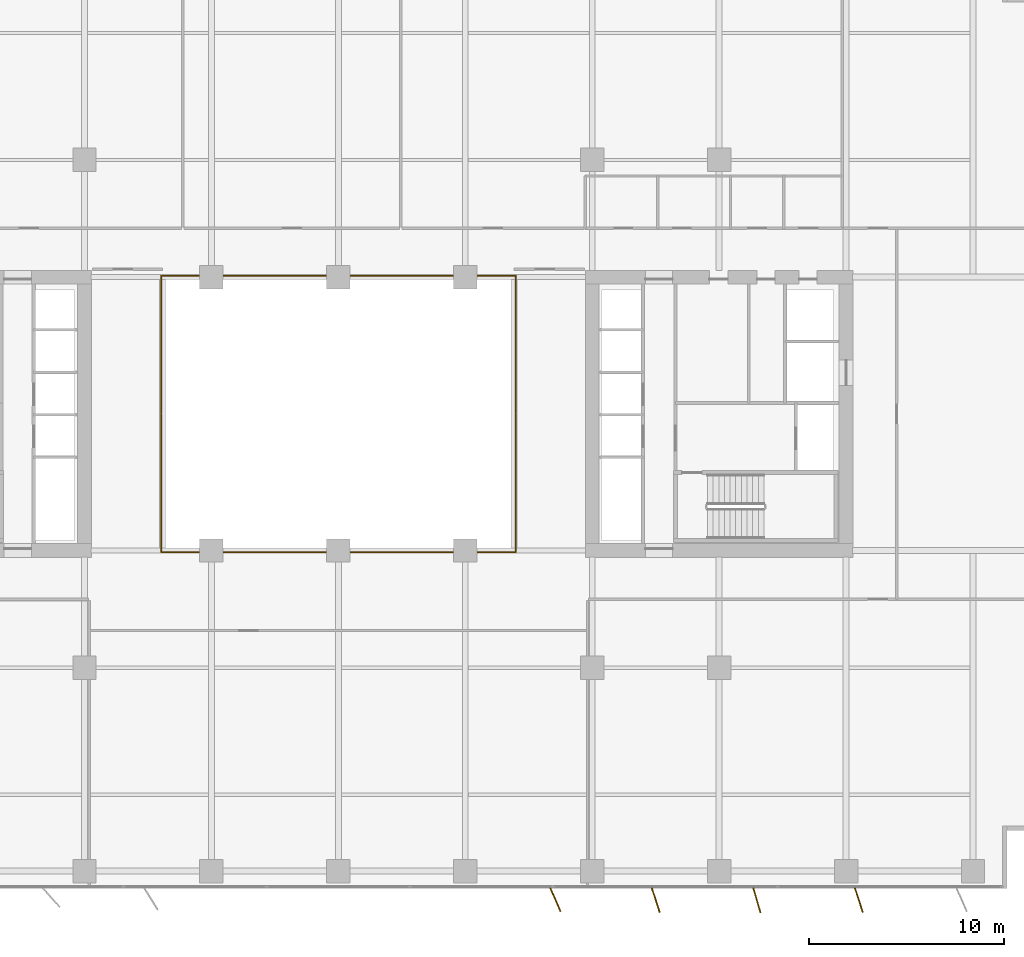
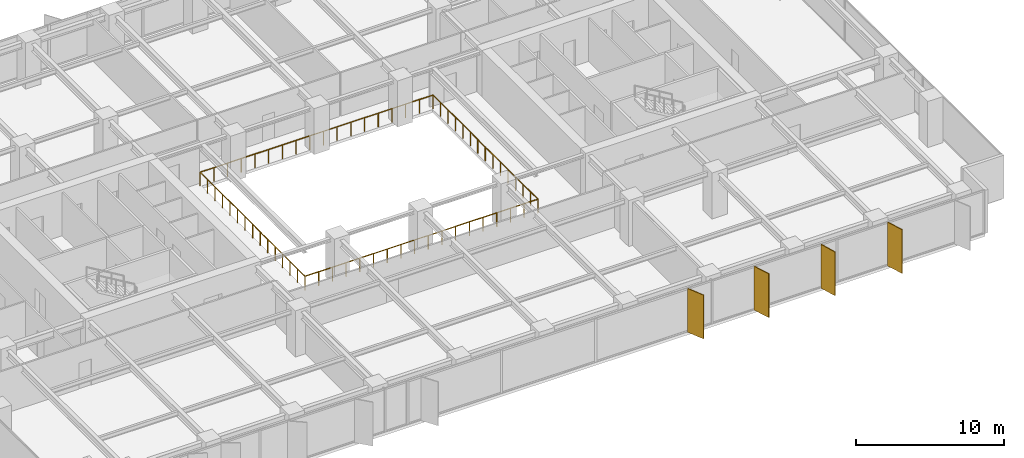
# One storey, part 18 of 20: 4 shading devices, 2 railings.
"""IFC4 building model written with IfcOpenShell, lengths in metres."""

import ifcopenshell
import ifcopenshell.guid

model = None  # the IFC model being written
_history = None  # IfcOwnerHistory: only IFC2X3 demands one
_inside = {}  # id of a spatial element -> (the spatial element, [elements in it])
_under = {}  # id of a project, library or spatial element -> (it, [spatial elements below it])
_declared = {}  # id of a project -> (the project, [libraries it declares])
_typed = {}  # id of a type object -> (the type object, [elements of that type])
_made_of = {}  # id of a material, layer set ... -> (it, [elements and type objects made of it])


def new_model(schema):
    """Start an empty IFC model of exactly this schema.

    Asked for "IFC4X3", IfcOpenShell would pick the latest addendum, in which some entities
    have other attributes; the version numbers below select the first issue.
    IFC2X3 requires an IfcOwnerHistory on every rooted entity: one is made here for all.
    """
    global model, _history
    if schema == "IFC4X3":
        model = ifcopenshell.file(schema_version=(4, 3, 0, 0))
    else:
        model = ifcopenshell.file(schema=schema)
    _inside.clear()
    _under.clear()
    _declared.clear()
    _typed.clear()
    _made_of.clear()
    _history = None
    if model.schema == "IFC2X3":
        org = make("IfcOrganization", Name="unknown")
        user = make(
            "IfcPersonAndOrganization",
            ThePerson=make("IfcPerson", FamilyName="unknown"),
            TheOrganization=org,
        )
        app = make(
            "IfcApplication",
            ApplicationDeveloper=org,
            Version="unknown",
            ApplicationFullName="unknown",
            ApplicationIdentifier="unknown",
        )
        _history = make(
            "IfcOwnerHistory",
            OwningUser=user,
            OwningApplication=app,
            ChangeAction="ADDED",
            CreationDate=0,
        )
    return model


def make(cls, **values):
    """One entity of the class cls with the attributes given. An attribute that is None is left unset."""
    return model.create_entity(
        cls, **{name: value for name, value in values.items() if value is not None}
    )


def rooted(cls, **values):
    """An entity with a GlobalId (a new one), such as an element, a storey or a relation."""
    return make(cls, GlobalId=ifcopenshell.guid.new(), OwnerHistory=_history, **values)


def si_unit(unit_type, name, prefix=None):
    """IfcSIUnit, for example si_unit("LENGTHUNIT", "METRE", prefix="MILLI")."""
    return make("IfcSIUnit", UnitType=unit_type, Prefix=prefix, Name=name)


def assignment(units):
    """IfcUnitAssignment: the units of a project."""
    return None if units is None else make("IfcUnitAssignment", Units=units)


def point(xyz):
    """IfcCartesianPoint."""
    return None if xyz is None else make("IfcCartesianPoint", Coordinates=xyz)


def direction(xyz):
    """IfcDirection."""
    return None if xyz is None else make("IfcDirection", DirectionRatios=xyz)


def frame(location, z_axis=None, x_axis=None):
    """IfcAxis2Placement3D, a coordinate frame: its origin and axes. An axis left out is left unset."""
    return make(
        "IfcAxis2Placement3D",
        Location=point(location),
        Axis=direction(z_axis),
        RefDirection=direction(x_axis),
    )


def frame_2d(location, x_axis=None):
    """IfcAxis2Placement2D, a coordinate frame in the plane: its origin and x axis."""
    return make(
        "IfcAxis2Placement2D", Location=point(location), RefDirection=direction(x_axis)
    )


def origin():
    """The frame at (0, 0, 0) with its axes left unset."""
    return frame((0.0, 0.0, 0.0))


def origin_2d():
    """The frame at (0, 0) in the plane with its x axis left unset."""
    return frame_2d((0.0, 0.0))


def place(relative_to, where):
    """IfcLocalPlacement: puts the frame where relative to a parent placement (None: the world)."""
    return make(
        "IfcLocalPlacement", PlacementRelTo=relative_to, RelativePlacement=where
    )


def context(
    kind, dimensions, precision=None, world=None, true_north=None, identifier=None
):
    """IfcGeometricRepresentationContext, for example the 3D "Model" context."""
    return make(
        "IfcGeometricRepresentationContext",
        ContextIdentifier=identifier,
        ContextType=kind,
        CoordinateSpaceDimension=dimensions,
        Precision=precision,
        WorldCoordinateSystem=world,
        TrueNorth=true_north,
    )


def subcontext(parent, identifier, kind, view, scale=None):
    """IfcGeometricRepresentationSubContext, for example "Body" below "Model"."""
    return make(
        "IfcGeometricRepresentationSubContext",
        ContextIdentifier=identifier,
        ContextType=kind,
        ParentContext=parent,
        TargetScale=scale,
        TargetView=view,
    )


def project(units=None, contexts=None):
    """IfcProject with its units and contexts."""
    return rooted(
        "IfcProject",
        Name="project",
        RepresentationContexts=contexts,
        UnitsInContext=assignment(units),
    )


def spatial(cls, under=None, at=None, **own):
    """A site, building, storey or space (cls), placed at a placement, below another one or the project."""
    s = rooted(cls, ObjectPlacement=at, **own)
    if under is not None:
        _under.setdefault(under.id(), (under, []))[1].append(s)
    return s


def profile(cls, at=None, kind="AREA", **sizes):
    """A parametric profile (cls). Its sizes go by their IFC names, for example OverallWidth=200.0."""
    return make(cls, ProfileType=kind, Position=at, **sizes)


def rectangle(**sizes):
    """IfcRectangleProfileDef."""
    return profile("IfcRectangleProfileDef", **sizes)


def circle(**sizes):
    """IfcCircleProfileDef."""
    return profile("IfcCircleProfileDef", **sizes)


def extrude(swept, where, along, depth):
    """IfcExtrudedAreaSolid: the profile swept, set in the frame where, extruded along a direction by depth."""
    return make(
        "IfcExtrudedAreaSolid",
        SweptArea=swept,
        Position=where,
        ExtrudedDirection=direction(along),
        Depth=depth,
    )


def shape(context_of_items, identifier, shape_type, items):
    """IfcShapeRepresentation: the items that make up one representation, for example the "Body"."""
    return make(
        "IfcShapeRepresentation",
        ContextOfItems=context_of_items,
        RepresentationIdentifier=identifier,
        RepresentationType=shape_type,
        Items=items,
    )


def material(Name=None, Category=None):
    """IfcMaterial."""
    return make("IfcMaterial", Name=Name, Category=Category)


def layer(
    of_material, thickness, ventilated=None, Name=None, Category=None, Priority=None
):
    """IfcMaterialLayer: one layer of a wall or slab, of a material (None: an air gap)."""
    return make(
        "IfcMaterialLayer",
        Material=of_material,
        LayerThickness=thickness,
        IsVentilated=ventilated,
        Name=Name,
        Category=Category,
        Priority=Priority,
    )


def layer_set(layers, Name=None):
    """IfcMaterialLayerSet."""
    return make("IfcMaterialLayerSet", MaterialLayers=layers, LayerSetName=Name)


def made_of(thing, what):
    """Note that an element or type object is made of a material, layer set ...; save() writes the relation."""
    if what is not None:
        _made_of.setdefault(what.id(), (what, []))[1].append(thing)
    return thing


def type_object(cls, material=None, **own):
    """A type object (cls), such as IfcWallType, which elements share."""
    return made_of(rooted(cls, **own), material)


def element(
    cls,
    number,
    at=None,
    inside=None,
    cuts=None,
    type_object=None,
    material=None,
    context=None,
    identifier="Body",
    shape_type=None,
    held_by="IfcProductDefinitionShape",
    body=None,
    shapes=None,
    **own,
):
    """One element of the class cls, such as IfcWall. Its Tag is "e" and its number.

    at: its placement. inside: the storey or other place that contains it. cuts: it is an
    opening in that element (IfcRelVoidsElement). A single representation is given by context,
    identifier, shape_type and body (its items); several are given by shapes. held_by: the class
    of the entity that holds the representations. save() writes the other relations.
    """
    e = rooted(cls, Tag="e%d" % number, ObjectPlacement=at, **own)
    if body is not None:
        shapes = [shape(context, identifier, shape_type, body)]
    if shapes is not None:
        e.Representation = make(held_by, Representations=shapes)
    if inside is not None:
        _inside.setdefault(inside.id(), (inside, []))[1].append(e)
    if cuts is not None:
        rooted(
            "IfcRelVoidsElement", RelatingBuildingElement=cuts, RelatedOpeningElement=e
        )
    if type_object is not None:
        _typed.setdefault(type_object.id(), (type_object, []))[1].append(e)
    return made_of(e, material)


def aggregate(whole, parts):
    """IfcRelAggregates: a whole, such as a stair, and the parts it consists of."""
    return rooted("IfcRelAggregates", RelatingObject=whole, RelatedObjects=parts)


def save(model, path):
    """Write the relations noted so far, then the file.

    IfcRelAggregates (storeys below a building ...), IfcRelContainedInSpatialStructure (elements
    in a storey), IfcRelDefinesByType, IfcRelAssociatesMaterial and IfcRelDeclares: one each for
    every whole, place, type object, material and project.
    """
    for whole, parts in _under.values():
        aggregate(whole, parts)
    for where, things in _inside.values():
        rooted(
            "IfcRelContainedInSpatialStructure",
            RelatedElements=things,
            RelatingStructure=where,
        )
    for kind, things in _typed.values():
        rooted("IfcRelDefinesByType", RelatedObjects=things, RelatingType=kind)
    for what, things in _made_of.values():
        rooted("IfcRelAssociatesMaterial", RelatedObjects=things, RelatingMaterial=what)
    for by, libraries in _declared.values():
        rooted("IfcRelDeclares", RelatingContext=by, RelatedDefinitions=libraries)
    model.write(path)


model = new_model("IFC4")

# Units and contexts
model_context = context("Model", 3, precision=1e-05, world=origin(), true_north=direction((0.0, 1.0)))
body_context = subcontext(model_context, "Body", "Model", "MODEL_VIEW")
ifc_project = project(units=[si_unit("LENGTHUNIT", "METRE"), si_unit("AREAUNIT", "SQUARE_METRE"), si_unit("VOLUMEUNIT", "CUBIC_METRE"), si_unit("PLANEANGLEUNIT", "RADIAN"), si_unit("MASSUNIT", "GRAM", prefix="KILO")], contexts=[model_context])

# Site, building, storey
site_placement = place(None, origin())
site = spatial("IfcSite", under=ifc_project, at=site_placement, CompositionType="ELEMENT")
building_placement = place(site_placement, origin())
building = spatial("IfcBuilding", under=site, at=building_placement, Name="Putna Gate Headquarters", CompositionType="ELEMENT")
storey_placement = place(building_placement, frame((0.0, 0.0, 89.800048828125)))
storey = spatial("IfcBuildingStorey", under=building, at=storey_placement, Name="L21", CompositionType="ELEMENT", Elevation=89.800048828125)

# Railings
ifc_material_1 = material(Name="Anodised bronze and laminated glass atrium balustrade", Category="glass")
railing_type = type_object("IfcRailingType", Name="RAIL-ATRIUM-GUARD-1150", PredefinedType="GUARDRAIL", material=ifc_material_1)
railing_1_placement = place(storey_placement, frame((29.919921875, 25.969970703125, 0.0)))
element("IfcRailing", 1, at=railing_1_placement, inside=storey, type_object=railing_type, Name="L21 Central Atrium Glazed Balustrade South", PredefinedType="GUARDRAIL", context=body_context, shape_type="SweptSolid", body=[
    extrude(circle(Radius=0.02392578125, at=origin_2d()), frame((0.0, 0.0, 1.1259765625), z_axis=(0.0, -1.0, 0.0), x_axis=(1.0, 0.0, 0.0)), (0.0, 0.0, 1.0), 7.050048828125),
    extrude(circle(Radius=0.02392578125, at=origin_2d()), frame((0.0, -7.050048828125, 1.1259765625), z_axis=(1.0, 0.0, 0.0), x_axis=(0.0, 1.0, 0.0)), (0.0, 0.0, 1.0), 18.16015625),
    extrude(circle(Radius=0.02392578125, at=origin_2d()), frame((18.16015625, -7.050048828125, 1.1259765625), z_axis=(0.0, 1.0, 0.0), x_axis=(-1.0, 0.0, 0.0)), (0.0, 0.0, 1.0), 7.050048828125),
    extrude(circle(Radius=0.02099609375, at=origin_2d()), origin(), (0.0, 0.0, 1.0), 1.101806640625),
    extrude(circle(Radius=0.02099609375, at=origin_2d()), frame((0.0, -1.007080078125, 0.0)), (0.0, 0.0, 1.0), 1.101806640625),
    extrude(circle(Radius=0.02099609375, at=origin_2d()), frame((0.0, -2.014404296875, 0.0)), (0.0, 0.0, 1.0), 1.101806640625),
    extrude(circle(Radius=0.02099609375, at=origin_2d()), frame((0.0, -3.021484375, 0.0)), (0.0, 0.0, 1.0), 1.101806640625),
    extrude(circle(Radius=0.02099609375, at=origin_2d()), frame((0.0, -4.028564453125, 0.0)), (0.0, 0.0, 1.0), 1.101806640625),
    extrude(circle(Radius=0.02099609375, at=origin_2d()), frame((0.0, -5.03564453125, 0.0)), (0.0, 0.0, 1.0), 1.101806640625),
    extrude(circle(Radius=0.02099609375, at=origin_2d()), frame((0.0, -6.04296875, 0.0)), (0.0, 0.0, 1.0), 1.101806640625),
    extrude(circle(Radius=0.02099609375, at=origin_2d()), frame((0.0, -7.050048828125, 0.0)), (0.0, 0.0, 1.0), 1.101806640625),
    extrude(circle(Radius=0.02099609375, at=origin_2d()), frame((1.068359375, -7.050048828125, 0.0)), (0.0, 0.0, 1.0), 1.101806640625),
    extrude(circle(Radius=0.02099609375, at=origin_2d()), frame((2.136474609375, -7.050048828125, 0.0)), (0.0, 0.0, 1.0), 1.101806640625),
    extrude(circle(Radius=0.02099609375, at=origin_2d()), frame((3.204833984375, -7.050048828125, 0.0)), (0.0, 0.0, 1.0), 1.101806640625),
    extrude(circle(Radius=0.02099609375, at=origin_2d()), frame((4.27294921875, -7.050048828125, 0.0)), (0.0, 0.0, 1.0), 1.101806640625),
    extrude(circle(Radius=0.02099609375, at=origin_2d()), frame((5.34130859375, -7.050048828125, 0.0)), (0.0, 0.0, 1.0), 1.101806640625),
    extrude(circle(Radius=0.02099609375, at=origin_2d()), frame((6.409423828125, -7.050048828125, 0.0)), (0.0, 0.0, 1.0), 1.101806640625),
    extrude(circle(Radius=0.02099609375, at=origin_2d()), frame((7.477783203125, -7.050048828125, 0.0)), (0.0, 0.0, 1.0), 1.101806640625),
    extrude(circle(Radius=0.02099609375, at=origin_2d()), frame((8.5458984375, -7.050048828125, 0.0)), (0.0, 0.0, 1.0), 1.101806640625),
    extrude(circle(Radius=0.02099609375, at=origin_2d()), frame((9.6142578125, -7.050048828125, 0.0)), (0.0, 0.0, 1.0), 1.101806640625),
    extrude(circle(Radius=0.02099609375, at=origin_2d()), frame((10.682373046875, -7.050048828125, 0.0)), (0.0, 0.0, 1.0), 1.101806640625),
    extrude(circle(Radius=0.02099609375, at=origin_2d()), frame((11.750732421875, -7.050048828125, 0.0)), (0.0, 0.0, 1.0), 1.101806640625),
    extrude(circle(Radius=0.02099609375, at=origin_2d()), frame((12.81884765625, -7.050048828125, 0.0)), (0.0, 0.0, 1.0), 1.101806640625),
    extrude(circle(Radius=0.02099609375, at=origin_2d()), frame((13.88720703125, -7.050048828125, 0.0)), (0.0, 0.0, 1.0), 1.101806640625),
    extrude(circle(Radius=0.02099609375, at=origin_2d()), frame((14.955322265625, -7.050048828125, 0.0)), (0.0, 0.0, 1.0), 1.101806640625),
    extrude(circle(Radius=0.02099609375, at=origin_2d()), frame((16.023681640625, -7.050048828125, 0.0)), (0.0, 0.0, 1.0), 1.101806640625),
    extrude(circle(Radius=0.02099609375, at=origin_2d()), frame((17.091796875, -7.050048828125, 0.0)), (0.0, 0.0, 1.0), 1.101806640625),
    extrude(circle(Radius=0.02099609375, at=origin_2d()), frame((18.16015625, -7.050048828125, 0.0)), (0.0, 0.0, 1.0), 1.101806640625),
    extrude(circle(Radius=0.02099609375, at=origin_2d()), frame((18.16015625, -6.04296875, 0.0)), (0.0, 0.0, 1.0), 1.101806640625),
    extrude(circle(Radius=0.02099609375, at=origin_2d()), frame((18.16015625, -5.03564453125, 0.0)), (0.0, 0.0, 1.0), 1.101806640625),
    extrude(circle(Radius=0.02099609375, at=origin_2d()), frame((18.16015625, -4.028564453125, 0.0)), (0.0, 0.0, 1.0), 1.101806640625),
    extrude(circle(Radius=0.02099609375, at=origin_2d()), frame((18.16015625, -3.021484375, 0.0)), (0.0, 0.0, 1.0), 1.101806640625),
    extrude(circle(Radius=0.02099609375, at=origin_2d()), frame((18.16015625, -2.014404296875, 0.0)), (0.0, 0.0, 1.0), 1.101806640625),
    extrude(circle(Radius=0.02099609375, at=origin_2d()), frame((18.16015625, -1.007080078125, 0.0)), (0.0, 0.0, 1.0), 1.101806640625),
    extrude(circle(Radius=0.02099609375, at=origin_2d()), frame((18.16015625, 0.0, 0.0)), (0.0, 0.0, 1.0), 1.101806640625),
])
railing_2_placement = place(storey_placement, frame((48.080078125, 26.030029296875, 0.0)))
element("IfcRailing", 2, at=railing_2_placement, inside=storey, type_object=railing_type, Name="L21 Central Atrium Glazed Balustrade North", PredefinedType="GUARDRAIL", context=body_context, shape_type="SweptSolid", body=[
    extrude(circle(Radius=0.02392578125, at=origin_2d()), frame((0.0, 0.0, 1.1259765625), z_axis=(0.0, 1.0, 0.0), x_axis=(-1.0, 0.0, 0.0)), (0.0, 0.0, 1.0), 7.050048828125),
    extrude(circle(Radius=0.02392578125, at=origin_2d()), frame((0.0, 7.050048828125, 1.1259765625), z_axis=(-1.0, 0.0, 0.0), x_axis=(0.0, -1.0, 0.0)), (0.0, 0.0, 1.0), 18.16015625),
    extrude(circle(Radius=0.02392578125, at=origin_2d()), frame((-18.16015625, 7.050048828125, 1.1259765625), z_axis=(0.0, -1.0, 0.0), x_axis=(1.0, 0.0, 0.0)), (0.0, 0.0, 1.0), 7.050048828125),
    extrude(circle(Radius=0.02099609375, at=origin_2d()), origin(), (0.0, 0.0, 1.0), 1.101806640625),
    extrude(circle(Radius=0.02099609375, at=origin_2d()), frame((0.0, 1.007080078125, 0.0)), (0.0, 0.0, 1.0), 1.101806640625),
    extrude(circle(Radius=0.02099609375, at=origin_2d()), frame((0.0, 2.014404296875, 0.0)), (0.0, 0.0, 1.0), 1.101806640625),
    extrude(circle(Radius=0.02099609375, at=origin_2d()), frame((0.0, 3.021484375, 0.0)), (0.0, 0.0, 1.0), 1.101806640625),
    extrude(circle(Radius=0.02099609375, at=origin_2d()), frame((0.0, 4.028564453125, 0.0)), (0.0, 0.0, 1.0), 1.101806640625),
    extrude(circle(Radius=0.02099609375, at=origin_2d()), frame((0.0, 5.03564453125, 0.0)), (0.0, 0.0, 1.0), 1.101806640625),
    extrude(circle(Radius=0.02099609375, at=origin_2d()), frame((0.0, 6.04296875, 0.0)), (0.0, 0.0, 1.0), 1.101806640625),
    extrude(circle(Radius=0.02099609375, at=origin_2d()), frame((0.0, 7.050048828125, 0.0)), (0.0, 0.0, 1.0), 1.101806640625),
    extrude(circle(Radius=0.02099609375, at=origin_2d()), frame((-1.068359375, 7.050048828125, 0.0)), (0.0, 0.0, 1.0), 1.101806640625),
    extrude(circle(Radius=0.02099609375, at=origin_2d()), frame((-2.136474609375, 7.050048828125, 0.0)), (0.0, 0.0, 1.0), 1.101806640625),
    extrude(circle(Radius=0.02099609375, at=origin_2d()), frame((-3.204833984375, 7.050048828125, 0.0)), (0.0, 0.0, 1.0), 1.101806640625),
    extrude(circle(Radius=0.02099609375, at=origin_2d()), frame((-4.27294921875, 7.050048828125, 0.0)), (0.0, 0.0, 1.0), 1.101806640625),
    extrude(circle(Radius=0.02099609375, at=origin_2d()), frame((-5.34130859375, 7.050048828125, 0.0)), (0.0, 0.0, 1.0), 1.101806640625),
    extrude(circle(Radius=0.02099609375, at=origin_2d()), frame((-6.409423828125, 7.050048828125, 0.0)), (0.0, 0.0, 1.0), 1.101806640625),
    extrude(circle(Radius=0.02099609375, at=origin_2d()), frame((-7.477783203125, 7.050048828125, 0.0)), (0.0, 0.0, 1.0), 1.101806640625),
    extrude(circle(Radius=0.02099609375, at=origin_2d()), frame((-8.5458984375, 7.050048828125, 0.0)), (0.0, 0.0, 1.0), 1.101806640625),
    extrude(circle(Radius=0.02099609375, at=origin_2d()), frame((-9.6142578125, 7.050048828125, 0.0)), (0.0, 0.0, 1.0), 1.101806640625),
    extrude(circle(Radius=0.02099609375, at=origin_2d()), frame((-10.682373046875, 7.050048828125, 0.0)), (0.0, 0.0, 1.0), 1.101806640625),
    extrude(circle(Radius=0.02099609375, at=origin_2d()), frame((-11.750732421875, 7.050048828125, 0.0)), (0.0, 0.0, 1.0), 1.101806640625),
    extrude(circle(Radius=0.02099609375, at=origin_2d()), frame((-12.81884765625, 7.050048828125, 0.0)), (0.0, 0.0, 1.0), 1.101806640625),
    extrude(circle(Radius=0.02099609375, at=origin_2d()), frame((-13.88720703125, 7.050048828125, 0.0)), (0.0, 0.0, 1.0), 1.101806640625),
    extrude(circle(Radius=0.02099609375, at=origin_2d()), frame((-14.955322265625, 7.050048828125, 0.0)), (0.0, 0.0, 1.0), 1.101806640625),
    extrude(circle(Radius=0.02099609375, at=origin_2d()), frame((-16.023681640625, 7.050048828125, 0.0)), (0.0, 0.0, 1.0), 1.101806640625),
    extrude(circle(Radius=0.02099609375, at=origin_2d()), frame((-17.091796875, 7.050048828125, 0.0)), (0.0, 0.0, 1.0), 1.101806640625),
    extrude(circle(Radius=0.02099609375, at=origin_2d()), frame((-18.16015625, 7.050048828125, 0.0)), (0.0, 0.0, 1.0), 1.101806640625),
    extrude(circle(Radius=0.02099609375, at=origin_2d()), frame((-18.16015625, 6.04296875, 0.0)), (0.0, 0.0, 1.0), 1.101806640625),
    extrude(circle(Radius=0.02099609375, at=origin_2d()), frame((-18.16015625, 5.03564453125, 0.0)), (0.0, 0.0, 1.0), 1.101806640625),
    extrude(circle(Radius=0.02099609375, at=origin_2d()), frame((-18.16015625, 4.028564453125, 0.0)), (0.0, 0.0, 1.0), 1.101806640625),
    extrude(circle(Radius=0.02099609375, at=origin_2d()), frame((-18.16015625, 3.021484375, 0.0)), (0.0, 0.0, 1.0), 1.101806640625),
    extrude(circle(Radius=0.02099609375, at=origin_2d()), frame((-18.16015625, 2.014404296875, 0.0)), (0.0, 0.0, 1.0), 1.101806640625),
    extrude(circle(Radius=0.02099609375, at=origin_2d()), frame((-18.16015625, 1.007080078125, 0.0)), (0.0, 0.0, 1.0), 1.101806640625),
    extrude(circle(Radius=0.02099609375, at=origin_2d()), frame((-18.16015625, 0.0, 0.0)), (0.0, 0.0, 1.0), 1.101806640625),
])

# Shading devices
ifc_material_2 = material(Name="Anodised architectural bronze aluminium fin", Category="aluminium")
ifc_layer = layer(ifc_material_2, 0.06494140625)
ifc_layer_set = layer_set([ifc_layer], Name="Anodised architectural bronze aluminium fin")
shading_device_type = type_object("IfcShadingDeviceType", Name="SHADE-BRONZE-FIN-1320", PredefinedType="USERDEFINED", material=ifc_layer_set)
for number, where, z_axis, x_axis, name in (
    (3, (50.114501953125, 1.120361328125, -0.02001953125), (0.0, 0.0, 1.0), (0.400668879095, -0.916222925562, 0.0), "L21 Bronze Vertical Shading Fin S8"),
    (4, (55.253662109375, 1.09716796875, -0.02001953125), (0.0, 0.0, 1.0), (0.308684994204, -0.951164325631, 0.0), "L21 Bronze Vertical Shading Fin S9"),
    (5, (60.431884765625, 1.090576171875, -0.02001953125), (0.0, 0.0, 1.0), (0.275637355817, -0.961261695938, 0.0), "L21 Bronze Vertical Shading Fin S10"),
    (6, (65.65380859375, 1.09716796875, -0.02001953125), (0.0, 0.0, 1.0), (0.308684994204, -0.951164325631, 0.0), "L21 Bronze Vertical Shading Fin S11"),
):
    element("IfcShadingDevice", number, at=place(storey_placement, frame(where, z_axis=z_axis, x_axis=x_axis)), inside=storey, type_object=shading_device_type, Name=name, ObjectType="FIN", PredefinedType="USERDEFINED", context=body_context, shape_type="SweptSolid", body=[
        extrude(rectangle(XDim=1.320068359375, YDim=0.06494140625, at=origin_2d()), origin(), (0.0, 0.0, 1.0), 3.60498046875),
    ])

save(model, "model.ifc")
